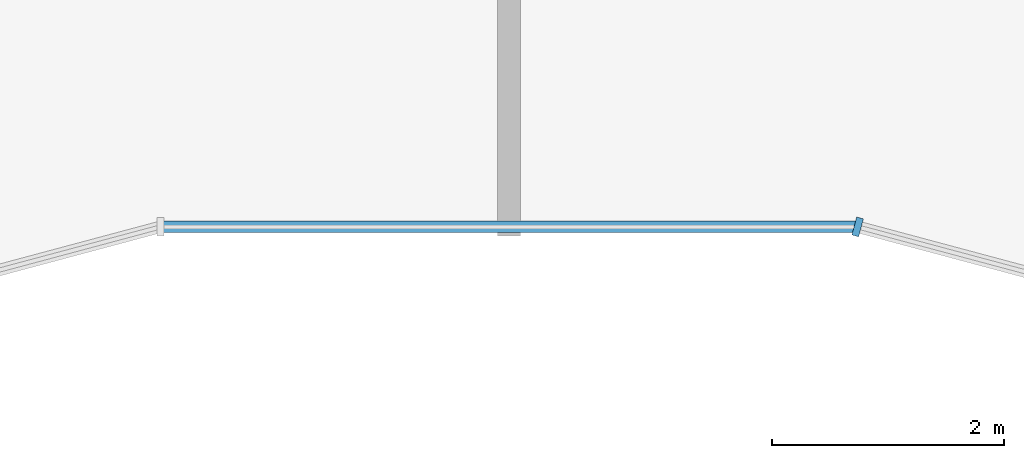
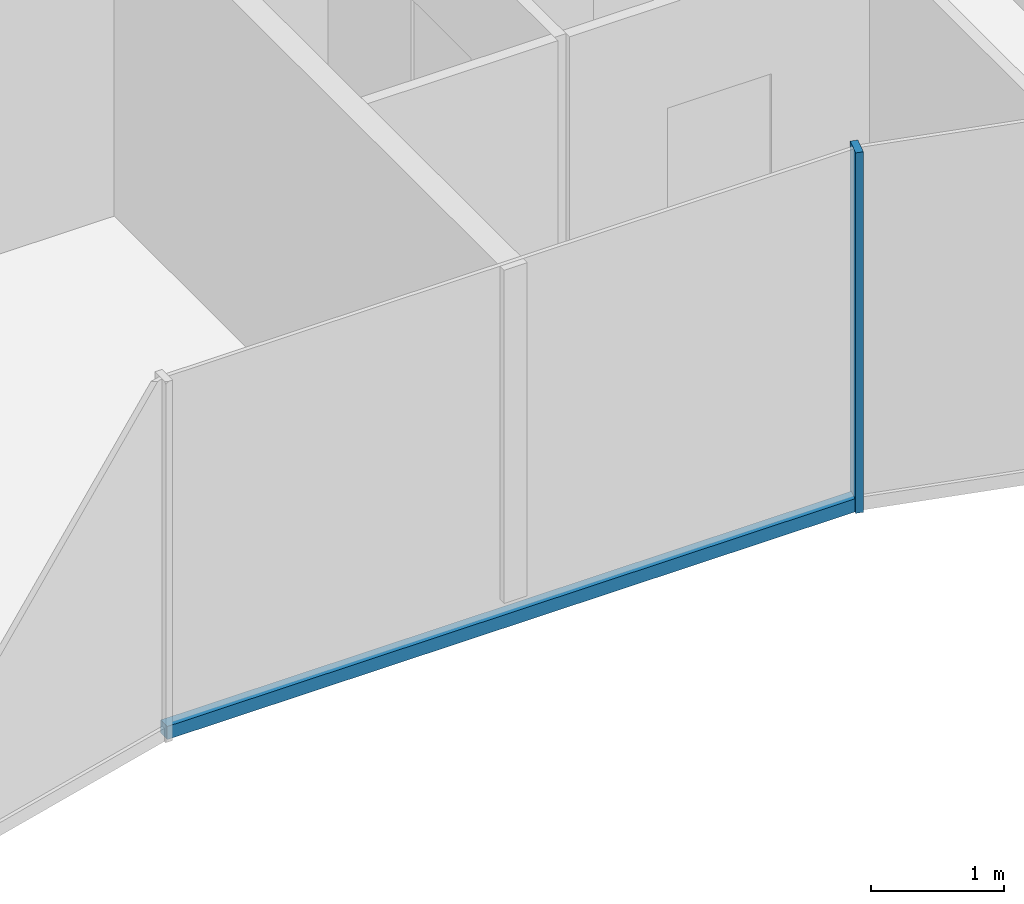
# One storey, part 3 of 10: 2 members, 2 elements without a shape of their own.
"""IFC4 building model written with IfcOpenShell, lengths in metres."""

from ifc_helpers import new_model, si_unit, direction, frame, origin, origin_2d, place, context, subcontext, project, spatial, rectangle, extrude, material, layer, layer_set, material_profile, profile_set, type_object, element, aggregate, save


model = new_model("IFC4")

# Units and contexts
model_context = context("Model", 3, precision=1e-05, world=origin(), true_north=direction((0.0, 1.0)))
body_context = subcontext(model_context, "Body", "Model", "MODEL_VIEW")
ifc_project = project(units=[si_unit("LENGTHUNIT", "METRE"), si_unit("AREAUNIT", "SQUARE_METRE"), si_unit("VOLUMEUNIT", "CUBIC_METRE"), si_unit("PLANEANGLEUNIT", "RADIAN"), si_unit("MASSUNIT", "GRAM", prefix="KILO")], contexts=[model_context])

# Site, building, storey
site_placement = place(None, origin())
site = spatial("IfcSite", under=ifc_project, at=site_placement, CompositionType="ELEMENT")
building_placement = place(site_placement, origin())
building = spatial("IfcBuilding", under=site, at=building_placement, Name="Plateau Cross Towers", CompositionType="ELEMENT")
storey_placement = place(building_placement, frame((0.0, 0.0, 284.39990234375)))
storey = spatial("IfcBuildingStorey", under=building, at=storey_placement, Name="L75", CompositionType="ELEMENT", Elevation=284.39990234375)

# Curtain wall, member
ifc_material_1 = material(Name="Dark low-iron glass", Category="glass")
ifc_layer = layer(ifc_material_1, 0.260009765625)
ifc_layer_set = layer_set([ifc_layer], Name="Dark low-iron glass")
curtain_wall_type = type_object("IfcCurtainWallType", Name="Curtain wall fluted unitised CW-A", PredefinedType="NOTDEFINED", material=ifc_layer_set)
curtain_wall_1_placement = place(storey_placement, origin())
curtain_wall_1 = element("IfcCurtainWall", 1, at=curtain_wall_1_placement, inside=storey, type_object=curtain_wall_type, Name="ENV/A/L75/A300_16", PredefinedType="NOTDEFINED")
ifc_material_2 = material(Name="Black anodised aluminium", Category="aluminium")
ifc_material_profile_1 = material_profile(ifc_material_2, rectangle(XDim=0.06005859375, YDim=0.159912109375, at=origin_2d()), Name="MULLION 60x160")
ifc_profile_set_1 = profile_set([ifc_material_profile_1], Name="Black anodised aluminium")
member_type_1 = type_object("IfcMemberType", Name="Mullion 60x160 fluted unitised", PredefinedType="MULLION", material=ifc_profile_set_1)
member_1_placement = place(storey_placement, frame((30.0, 1.60693359375, -0.25), z_axis=(0.0, 0.0, 1.0), x_axis=(0.965957983404, -0.258699003279, 0.0)))
member_1 = element("IfcMember", 2, at=member_1_placement, type_object=member_type_1, Name="CW-A mullion 1", PredefinedType="MULLION", context=body_context, shape_type="SweptSolid", body=[
    extrude(rectangle(XDim=0.06005859375, YDim=0.159912109375, at=origin_2d()), origin(), (0.0, 0.0, 1.0), 3.300048828125),
])
aggregate(curtain_wall_1, [member_1])

curtain_wall_2_placement = place(storey_placement, origin())
curtain_wall_2 = element("IfcCurtainWall", 3, at=curtain_wall_2_placement, inside=storey, type_object=curtain_wall_type, Name="ENV/A/L75/A240_16", PredefinedType="NOTDEFINED")
ifc_material_profile_2 = material_profile(ifc_material_2, rectangle(XDim=0.10009765625, YDim=0.1201171875, at=origin_2d()), Name="TRANSOM 100x120")
ifc_profile_set_2 = profile_set([ifc_material_profile_2], Name="Black anodised aluminium")
member_type_2 = type_object("IfcMemberType", Name="Transom 100x120 fluted unitised", PredefinedType="USERDEFINED", material=ifc_profile_set_2)
member_2_placement = place(storey_placement, frame((24.0, 1.60693359375, -0.18994140625), z_axis=(1.0, 0.0, 0.0), x_axis=(0.0, 1.0, 0.0)))
member_2 = element("IfcMember", 4, at=member_2_placement, type_object=member_type_2, Name="CW-A transom", ObjectType="TRANSOM", PredefinedType="USERDEFINED", context=body_context, shape_type="SweptSolid", body=[
    extrude(rectangle(XDim=0.10009765625, YDim=0.1201171875, at=origin_2d()), origin(), (0.0, 0.0, 1.0), 6.0),
])
aggregate(curtain_wall_2, [member_2])

save(model, "model.ifc")
